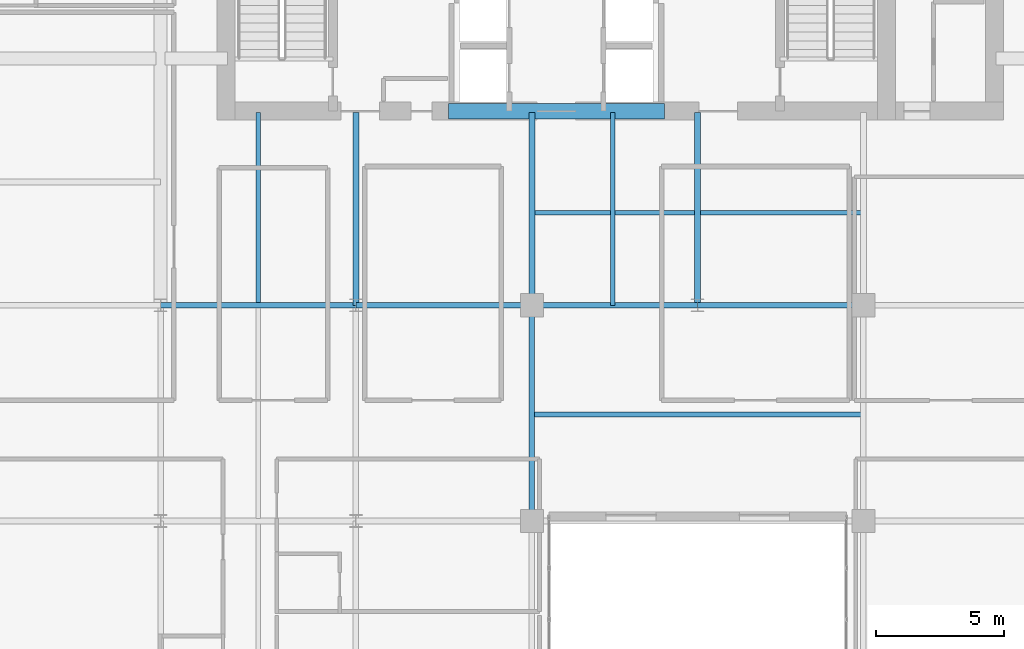
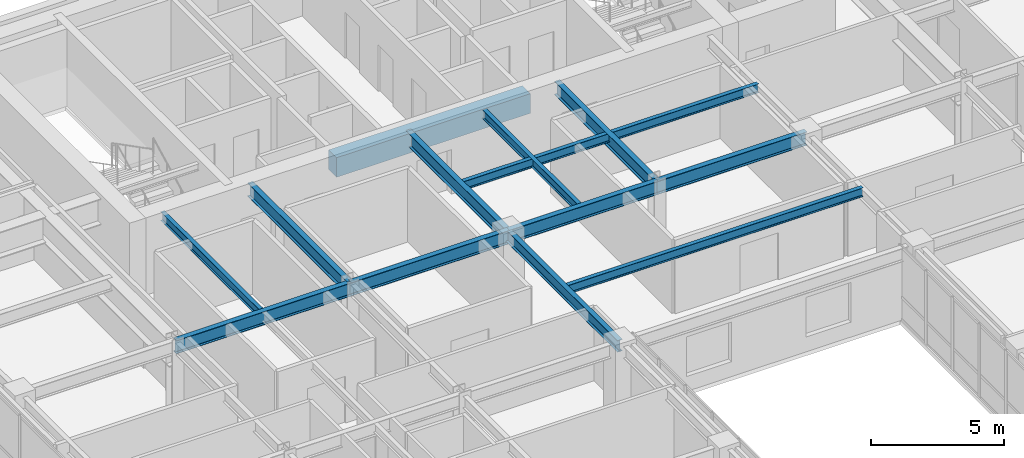
# One storey, part 12 of 30: 13 beams.
"""IFC4 building model written with IfcOpenShell, lengths in metres."""

from ifc_helpers import new_model, si_unit, direction, frame, origin, origin_2d, place, context, subcontext, project, spatial, rectangle, i_section, extrude, source, transform, mapped, material, material_profile, profile_set, type_object, type_shapes, element, save


model = new_model("IFC4")

# Units and contexts
model_context = context("Model", 3, precision=1e-05, world=origin(), true_north=direction((0.0, 1.0)))
body_context = subcontext(model_context, "Body", "Model", "MODEL_VIEW")
ifc_project = project(units=[si_unit("LENGTHUNIT", "METRE"), si_unit("AREAUNIT", "SQUARE_METRE"), si_unit("VOLUMEUNIT", "CUBIC_METRE"), si_unit("PLANEANGLEUNIT", "RADIAN"), si_unit("MASSUNIT", "GRAM", prefix="KILO")], contexts=[model_context])

# Site, building, storey
site_placement = place(None, origin())
site = spatial("IfcSite", under=ifc_project, at=site_placement, CompositionType="ELEMENT")
building_placement = place(site_placement, origin())
building = spatial("IfcBuilding", under=site, at=building_placement, Name="Tolvann Quenvar Hotel", CompositionType="ELEMENT")
storey_placement = place(building_placement, frame((0.0, 0.0, 100.89990234375)))
storey = spatial("IfcBuildingStorey", under=building, at=storey_placement, Name="L25", CompositionType="ELEMENT", Elevation=100.89990234375)

# Beams
ifc_material_1 = material(Name="Concrete N50 (50 MPa)", Category="concrete")
ifc_material_profile_1 = material_profile(ifc_material_1, rectangle(XDim=0.60009765625, YDim=0.89990234375, at=origin_2d()), Name="RC600x900")
ifc_profile_set_1 = profile_set([ifc_material_profile_1], Name="Concrete N50 (50 MPa)")
beam_type_1 = type_object("IfcBeamType", Name="BM_LINT_RC600x900", PredefinedType="LINTEL", material=ifc_profile_set_1)
shared_shape_1 = source(origin(), body_context, "Body", "SweptSolid", [
    extrude(rectangle(XDim=0.60009765625, YDim=0.89990234375, at=origin_2d()), origin(), (0.0, 0.0, 1.0), 8.39990234375),
])
type_shapes(beam_type_1, [shared_shape_1])
beam_1_placement = place(storey_placement, frame((18.800048828125, 31.949951171875, 2.920166015625), z_axis=(1.0, 0.0, 0.0), x_axis=(0.0, 1.0, 0.0)))
element("IfcBeam", 1, at=beam_1_placement, inside=storey, type_object=beam_type_1, Name="Core Coupling Lintel Beam (L25)", PredefinedType="LINTEL", context=body_context, shape_type="MappedRepresentation", body=[
    mapped(shared_shape_1, transform((0.0, 0.0, 0.0), x_axis=(1.0, 0.0, 0.0), y_axis=(0.0, 1.0, 0.0), z_axis=(0.0, 0.0, 1.0), scale=1.0)),
])
ifc_material_2 = material(Name="Steel Grade 350", Category="steel")
ifc_material_profile_2 = material_profile(ifc_material_2, i_section(OverallWidth=0.22900390625, OverallDepth=0.612060546875, WebThickness=0.011962890625, FlangeThickness=0.01953125, FilletRadius=0.013916015625, at=origin_2d()), Name="610UB125")
ifc_profile_set_2 = profile_set([ifc_material_profile_2], Name="Steel Grade 350")
beam_type_2 = type_object("IfcBeamType", Name="BM_GIRD_610UB125", PredefinedType="BEAM", material=ifc_profile_set_2)
shared_shape_2 = source(origin(), body_context, "Body", "SweptSolid", [
    extrude(i_section(OverallWidth=0.22900390625, OverallDepth=0.612060546875, WebThickness=0.011962890625, FlangeThickness=0.01953125, FilletRadius=0.013916015625, at=origin_2d()), origin(), (0.0, 0.0, 1.0), 7.599853515625),
])
beam_2_placement = place(storey_placement, frame((7.60009765625, 24.39990234375, 3.064208984375), z_axis=(1.0, 0.0, 0.0), x_axis=(0.0, 1.0, 0.0)))
element("IfcBeam", 2, at=beam_2_placement, inside=storey, type_object=beam_type_2, Name="BM-L25-EW-5-C5-D5", PredefinedType="BEAM", context=body_context, shape_type="MappedRepresentation", body=[
    mapped(shared_shape_2, transform((0.0, 0.0, 0.0), x_axis=(1.0, 0.0, 0.0), y_axis=(0.0, 1.0, 0.0), z_axis=(0.0, 0.0, 1.0), scale=1.0)),
])
shared_shape_3 = source(origin(), body_context, "Body", "SweptSolid", [
    extrude(i_section(OverallWidth=0.22900390625, OverallDepth=0.612060546875, WebThickness=0.011962890625, FlangeThickness=0.01953125, FilletRadius=0.013916015625, at=origin_2d()), origin(), (0.0, 0.0, 1.0), 6.85009765625),
])
beam_3_placement = place(storey_placement, frame((15.199951171875, 24.39990234375, 3.064208984375), z_axis=(1.0, 0.0, 0.0), x_axis=(0.0, 1.0, 0.0)))
element("IfcBeam", 3, at=beam_3_placement, inside=storey, type_object=beam_type_2, Name="BM-L25-EW-5-D5-E5", PredefinedType="BEAM", context=body_context, shape_type="MappedRepresentation", body=[
    mapped(shared_shape_3, transform((0.0, 0.0, 0.0), x_axis=(1.0, 0.0, 0.0), y_axis=(0.0, 1.0, 0.0), z_axis=(0.0, 0.0, 1.0), scale=1.0)),
])
shared_shape_4 = source(origin(), body_context, "Body", "SweptSolid", [
    extrude(i_section(OverallWidth=0.22900390625, OverallDepth=0.612060546875, WebThickness=0.011962890625, FlangeThickness=0.01953125, FilletRadius=0.013916015625, at=origin_2d()), origin(), (0.0, 0.0, 1.0), 6.449951171875),
])
for number, where, z_axis, x_axis, name in (
    (4, (22.050048828125, 24.39990234375, 3.064208984375), (1.0, 0.0, 0.0), (0.0, 1.0, 0.0), "BM-L25-EW-5-E5-M5"),
    (5, (28.5, 24.39990234375, 3.064208984375), (1.0, 0.0, 0.0), (0.0, 1.0, 0.0), "BM-L25-EW-5-M5-F5"),
):
    element("IfcBeam", number, at=place(storey_placement, frame(where, z_axis=z_axis, x_axis=x_axis)), inside=storey, type_object=beam_type_2, Name=name, PredefinedType="BEAM", context=body_context, shape_type="MappedRepresentation", body=[
        mapped(shared_shape_4, transform((0.0, 0.0, 0.0), x_axis=(1.0, 0.0, 0.0), y_axis=(0.0, 1.0, 0.0), z_axis=(0.0, 0.0, 1.0), scale=1.0)),
    ])
ifc_material_profile_3 = material_profile(ifc_material_2, i_section(OverallWidth=0.208984375, OverallDepth=0.532958984375, WebThickness=0.01025390625, FlangeThickness=0.015625, FilletRadius=0.013916015625, at=origin_2d()), Name="530UB92")
ifc_profile_set_3 = profile_set([ifc_material_profile_3], Name="Steel Grade 350")
beam_type_3 = type_object("IfcBeamType", Name="BM_GIRD_530UB92", PredefinedType="BEAM", material=ifc_profile_set_3)
shared_shape_5 = source(origin(), body_context, "Body", "SweptSolid", [
    extrude(i_section(OverallWidth=0.208984375, OverallDepth=0.532958984375, WebThickness=0.01025390625, FlangeThickness=0.015625, FilletRadius=0.013916015625, at=origin_2d()), origin(), (0.0, 0.0, 1.0), 8.39990234375),
])
type_shapes(beam_type_3, [shared_shape_5])
beam_4_placement = place(storey_placement, frame((22.050048828125, 16.0, 3.103515625), z_axis=(0.0, 1.0, 0.0), x_axis=(-1.0, 0.0, 0.0)))
element("IfcBeam", 6, at=beam_4_placement, inside=storey, type_object=beam_type_3, Name="BM-L25-NS-E4-E5", PredefinedType="BEAM", context=body_context, shape_type="MappedRepresentation", body=[
    mapped(shared_shape_5, transform((0.0, 0.0, 0.0), x_axis=(1.0, 0.0, 0.0), y_axis=(0.0, 1.0, 0.0), z_axis=(0.0, 0.0, 1.0), scale=1.0)),
])
shared_shape_6 = source(origin(), body_context, "Body", "SweptSolid", [
    extrude(i_section(OverallWidth=0.22900390625, OverallDepth=0.612060546875, WebThickness=0.011962890625, FlangeThickness=0.01953125, FilletRadius=0.013916015625, at=origin_2d()), origin(), (0.0, 0.0, 1.0), 7.5),
])
type_shapes(beam_type_2, [shared_shape_2, shared_shape_3, shared_shape_4, shared_shape_6])
for number, where, z_axis, x_axis, name in (
    (7, (15.199951171875, 24.39990234375, 3.064208984375), (0.0, 1.0, 0.0), (-1.0, 0.0, 0.0), "BM-L25-CORE-D5"),
    (8, (22.050048828125, 24.39990234375, 3.064208984375), (0.0, 1.0, 0.0), (-1.0, 0.0, 0.0), "BM-L25-CORE-E5"),
    (9, (28.5, 24.39990234375, 3.064208984375), (0.0, 1.0, 0.0), (-1.0, 0.0, 0.0), "BM-L25-CORE-M5"),
):
    element("IfcBeam", number, at=place(storey_placement, frame(where, z_axis=z_axis, x_axis=x_axis)), inside=storey, type_object=beam_type_2, Name=name, PredefinedType="BEAM", context=body_context, shape_type="MappedRepresentation", body=[
        mapped(shared_shape_6, transform((0.0, 0.0, 0.0), x_axis=(1.0, 0.0, 0.0), y_axis=(0.0, 1.0, 0.0), z_axis=(0.0, 0.0, 1.0), scale=1.0)),
    ])
ifc_material_profile_4 = material_profile(ifc_material_2, i_section(OverallWidth=0.177978515625, OverallDepth=0.406005859375, WebThickness=0.0078125, FlangeThickness=0.0126953125, FilletRadius=0.011474609375, at=origin_2d()), Name="410UB60")
ifc_profile_set_4 = profile_set([ifc_material_profile_4], Name="Steel Grade 350")
beam_type_4 = type_object("IfcBeamType", Name="BM_JOIST_410UB60", PredefinedType="JOIST", material=ifc_profile_set_4)
shared_shape_7 = source(origin(), body_context, "Body", "SweptSolid", [
    extrude(i_section(OverallWidth=0.177978515625, OverallDepth=0.406005859375, WebThickness=0.0078125, FlangeThickness=0.0126953125, FilletRadius=0.011474609375, at=origin_2d()), origin(), (0.0, 0.0, 1.0), 12.89990234375),
])
for number, where, z_axis, x_axis, name in (
    (10, (22.050048828125, 20.14990234375, 3.1669921875), (1.0, 0.0, 0.0), (0.0, 1.0, 0.0), "BM-L25-SPINE-20"),
    (11, (22.050048828125, 28.0, 3.1669921875), (1.0, 0.0, 0.0), (0.0, 1.0, 0.0), "BM-L25-SPINE-28"),
):
    element("IfcBeam", number, at=place(storey_placement, frame(where, z_axis=z_axis, x_axis=x_axis)), inside=storey, type_object=beam_type_4, Name=name, PredefinedType="JOIST", context=body_context, shape_type="MappedRepresentation", body=[
        mapped(shared_shape_7, transform((0.0, 0.0, 0.0), x_axis=(1.0, 0.0, 0.0), y_axis=(0.0, 1.0, 0.0), z_axis=(0.0, 0.0, 1.0), scale=1.0)),
    ])
shared_shape_8 = source(origin(), body_context, "Body", "SweptSolid", [
    extrude(i_section(OverallWidth=0.177978515625, OverallDepth=0.406005859375, WebThickness=0.0078125, FlangeThickness=0.0126953125, FilletRadius=0.011474609375, at=origin_2d()), origin(), (0.0, 0.0, 1.0), 7.391357421875),
])
beam_5_placement = place(storey_placement, frame((11.39990234375, 24.508544921875, 3.1669921875), z_axis=(0.0, 1.0, 0.0), x_axis=(-1.0, 0.0, 0.0)))
element("IfcBeam", 12, at=beam_5_placement, inside=storey, type_object=beam_type_4, Name="BJ-L25-114-244", PredefinedType="JOIST", context=body_context, shape_type="MappedRepresentation", body=[
    mapped(shared_shape_8, transform((0.0, 0.0, 0.0), x_axis=(1.0, 0.0, 0.0), y_axis=(0.0, 1.0, 0.0), z_axis=(0.0, 0.0, 1.0), scale=1.0)),
])
shared_shape_9 = source(origin(), body_context, "Body", "SweptSolid", [
    extrude(i_section(OverallWidth=0.177978515625, OverallDepth=0.406005859375, WebThickness=0.0078125, FlangeThickness=0.0126953125, FilletRadius=0.011474609375, at=origin_2d()), origin(), (0.0, 0.0, 1.0), 7.5),
])
type_shapes(beam_type_4, [shared_shape_7, shared_shape_8, shared_shape_9])
beam_6_placement = place(storey_placement, frame((25.199951171875, 24.39990234375, 3.1669921875), z_axis=(0.0, 1.0, 0.0), x_axis=(-1.0, 0.0, 0.0)))
element("IfcBeam", 13, at=beam_6_placement, inside=storey, type_object=beam_type_4, Name="BJ-L25-252-244", PredefinedType="JOIST", context=body_context, shape_type="MappedRepresentation", body=[
    mapped(shared_shape_9, transform((0.0, 0.0, 0.0), x_axis=(1.0, 0.0, 0.0), y_axis=(0.0, 1.0, 0.0), z_axis=(0.0, 0.0, 1.0), scale=1.0)),
])

save(model, "model.ifc")
